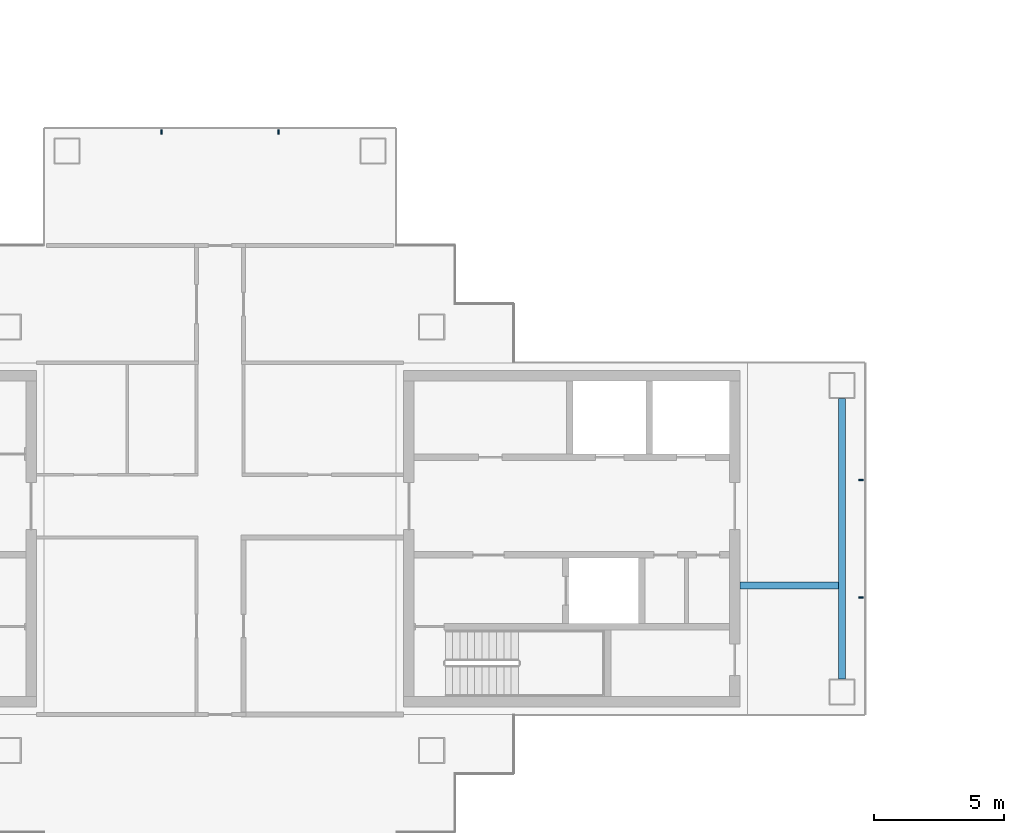
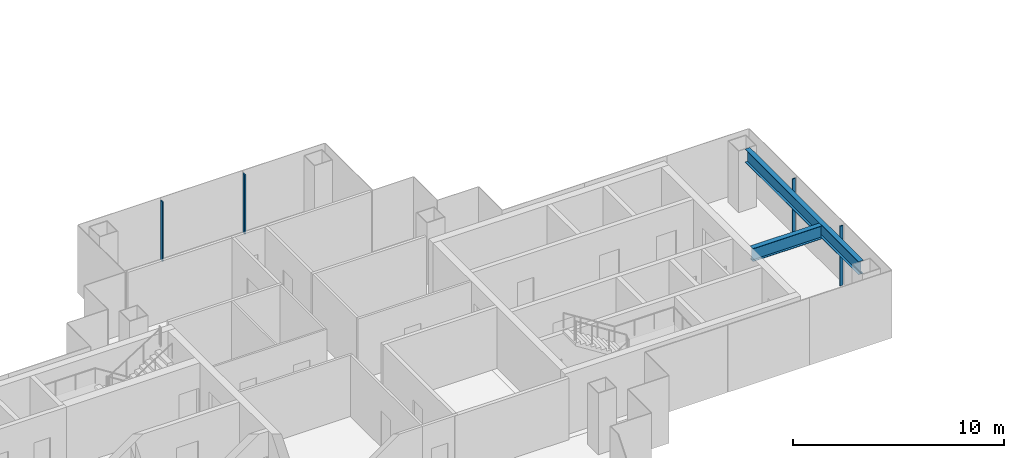
# One storey, part 4 of 16: 4 members, 2 beams, 2 elements without a shape of their own.
"""IFC4 building model written with IfcOpenShell, lengths in metres."""

from ifc_helpers import new_model, si_unit, direction, frame, origin, origin_2d, place, context, subcontext, project, spatial, rectangle, i_section, extrude, material, layer, layer_set, material_profile, profile_set, type_object, element, aggregate, save


model = new_model("IFC4")

# Units and contexts
model_context = context("Model", 3, precision=1e-05, world=origin(), true_north=direction((0.0, 1.0)))
body_context = subcontext(model_context, "Body", "Model", "MODEL_VIEW")
ifc_project = project(units=[si_unit("LENGTHUNIT", "METRE"), si_unit("AREAUNIT", "SQUARE_METRE"), si_unit("VOLUMEUNIT", "CUBIC_METRE"), si_unit("PLANEANGLEUNIT", "RADIAN"), si_unit("MASSUNIT", "GRAM", prefix="KILO")], contexts=[model_context])

# Site, building, storey
site_placement = place(None, origin())
site = spatial("IfcSite", under=ifc_project, at=site_placement, CompositionType="ELEMENT")
building_placement = place(site_placement, origin())
building = spatial("IfcBuilding", under=site, at=building_placement, Name="Shamsa Quay Exchange Towers", CompositionType="ELEMENT")
storey_placement = place(building_placement, frame((0.0, 0.0, 213.89990234375)))
storey = spatial("IfcBuildingStorey", under=building, at=storey_placement, Name="L51", CompositionType="ELEMENT", Elevation=213.89990234375)

# Curtain wall, members
ifc_material_1 = material(Name="Aluminium EN AW-6063 T6, black anodised", Category="aluminium")
ifc_layer = layer(ifc_material_1, 0.280029296875)
ifc_layer_set = layer_set([ifc_layer], Name="CW-1 UNITISED VISION GLASS")
curtain_wall_type = type_object("IfcCurtainWallType", Name="CW-1 UNITISED VISION GLASS", PredefinedType="NOTDEFINED", material=ifc_layer_set)
curtain_wall_1_placement = place(storey_placement, origin())
curtain_wall_1 = element("IfcCurtainWall", 1, at=curtain_wall_1_placement, inside=storey, type_object=curtain_wall_type, Name="CW1 T1-END-U+ L51", PredefinedType="NOTDEFINED")
ifc_material_profile_1 = material_profile(ifc_material_1, rectangle(XDim=0.179931640625, YDim=0.06005859375, at=origin_2d()), Name="MU60x180")
ifc_profile_set_1 = profile_set([ifc_material_profile_1], Name="Aluminium EN AW-6063 T6, black anodised")
member_type = type_object("IfcMemberType", Name="CW1 MULLION 60x180", PredefinedType="MULLION", material=ifc_profile_set_1)
member_1_placement = place(storey_placement, frame((-9.14990234375, -2.25, 0.0), z_axis=(0.0, 0.0, 1.0), x_axis=(-1.0, 0.0, 0.0)))
member_1 = element("IfcMember", 2, at=member_1_placement, type_object=member_type, Name="CW1 mullion", PredefinedType="MULLION", context=body_context, shape_type="SweptSolid", body=[
    extrude(rectangle(XDim=0.179931640625, YDim=0.06005859375, at=origin_2d()), origin(), (0.0, 0.0, 1.0), 3.4501953125),
])
member_2_placement = place(storey_placement, frame((-9.14990234375, 2.25, 0.0), z_axis=(0.0, 0.0, 1.0), x_axis=(-1.0, 0.0, 0.0)))
member_2 = element("IfcMember", 3, at=member_2_placement, type_object=member_type, Name="CW1 mullion", PredefinedType="MULLION", context=body_context, shape_type="SweptSolid", body=[
    extrude(rectangle(XDim=0.179931640625, YDim=0.06005859375, at=origin_2d()), origin(), (0.0, 0.0, 1.0), 3.4501953125),
])
aggregate(curtain_wall_1, [member_1, member_2])

curtain_wall_2_placement = place(storey_placement, origin())
curtain_wall_2 = element("IfcCurtainWall", 4, at=curtain_wall_2_placement, inside=storey, type_object=curtain_wall_type, Name="CW1 T1-END-V+ L51", PredefinedType="NOTDEFINED")
member_3_placement = place(storey_placement, frame((-31.5, 15.60009765625, 0.0), z_axis=(0.0, 0.0, 1.0), x_axis=(0.0, -1.0, 0.0)))
member_3 = element("IfcMember", 5, at=member_3_placement, type_object=member_type, Name="CW1 mullion", PredefinedType="MULLION", context=body_context, shape_type="SweptSolid", body=[
    extrude(rectangle(XDim=0.179931640625, YDim=0.06005859375, at=origin_2d()), origin(), (0.0, 0.0, 1.0), 3.4501953125),
])
member_4_placement = place(storey_placement, frame((-36.0, 15.60009765625, 0.0), z_axis=(0.0, 0.0, 1.0), x_axis=(0.0, -1.0, 0.0)))
member_4 = element("IfcMember", 6, at=member_4_placement, type_object=member_type, Name="CW1 mullion", PredefinedType="MULLION", context=body_context, shape_type="SweptSolid", body=[
    extrude(rectangle(XDim=0.179931640625, YDim=0.06005859375, at=origin_2d()), origin(), (0.0, 0.0, 1.0), 3.4501953125),
])
aggregate(curtain_wall_2, [member_3, member_4])

# Beams
ifc_material_2 = material(Name="Steel S355", Category="steel")
ifc_material_profile_2 = material_profile(ifc_material_2, i_section(OverallWidth=0.26611328125, OverallDepth=0.7578125, WebThickness=0.013916015625, FlangeThickness=0.019287109375, at=origin_2d()), Name="W30x108")
ifc_profile_set_2 = profile_set([ifc_material_profile_2], Name="Steel S355")
beam_type = type_object("IfcBeamType", Name="End-zone beam W30x108", PredefinedType="BEAM", material=ifc_profile_set_2)
beam_1_placement = place(storey_placement, frame((-9.875, -5.375, 3.171142578125), z_axis=(0.0, 1.0, 0.0), x_axis=(-1.0, 0.0, 0.0)))
element("IfcBeam", 7, at=beam_1_placement, inside=storey, type_object=beam_type, Name="End beam T1 U+ end zone L51", PredefinedType="BEAM", context=body_context, shape_type="SweptSolid", body=[
    extrude(i_section(OverallWidth=0.26611328125, OverallDepth=0.7578125, WebThickness=0.013916015625, FlangeThickness=0.019287109375, at=origin_2d()), origin(), (0.0, 0.0, 1.0), 10.75),
])
beam_2_placement = place(storey_placement, frame((-13.800048828125, -1.800048828125, 3.171142578125), z_axis=(1.0, 0.0, 0.0), x_axis=(0.0, 1.0, 0.0)))
element("IfcBeam", 8, at=beam_2_placement, inside=storey, type_object=beam_type, Name="Spine beam T1 U+ end zone L51", PredefinedType="BEAM", context=body_context, shape_type="SweptSolid", body=[
    extrude(i_section(OverallWidth=0.26611328125, OverallDepth=0.7578125, WebThickness=0.013916015625, FlangeThickness=0.019287109375, at=origin_2d()), origin(), (0.0, 0.0, 1.0), 3.7919921875),
])

save(model, "model.ifc")
